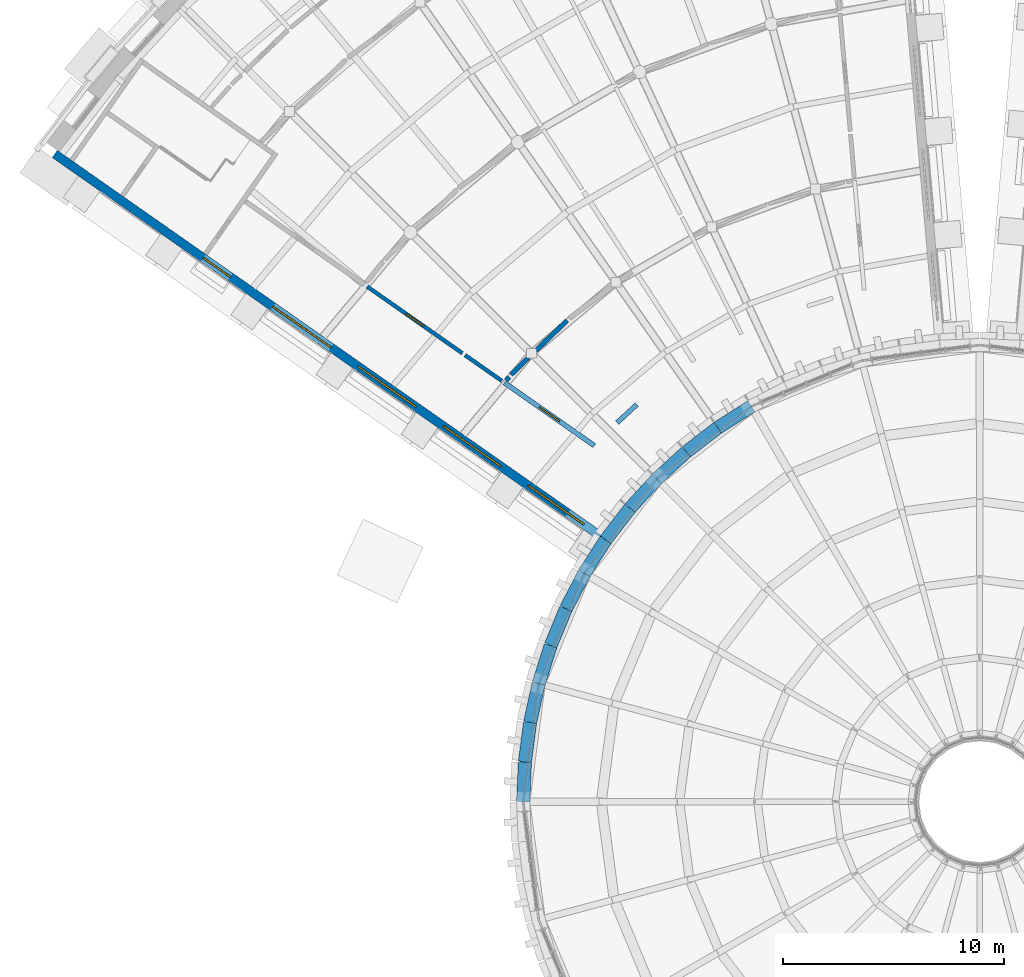
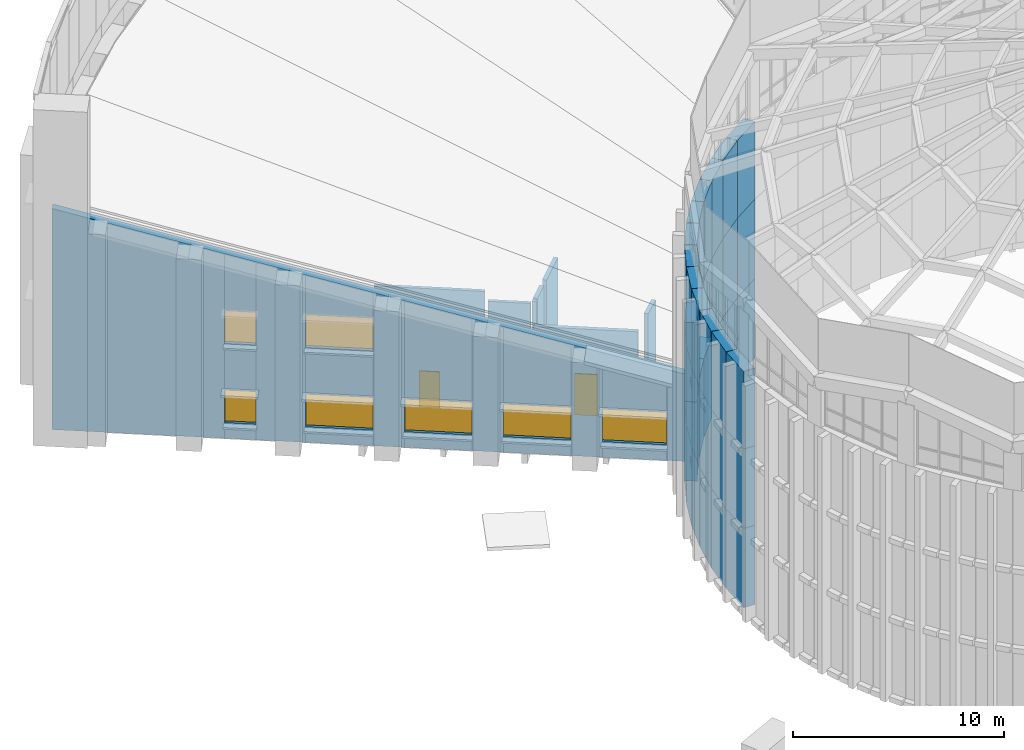
# One storey, part 53 of 82: 44 walls, 7 windows, 2 doors, 9 openings.
"""IFC4 building model written with IfcOpenShell, lengths in metres."""

from ifc_helpers import new_model, si_unit, direction, frame, frame_2d, origin, place, context, subcontext, project, spatial, polyline, rectangle, outline, extrude, material, layer, layer_set, type_object, element, fill, save


model = new_model("IFC4")

# Units and contexts
model_context = context("Model", 3, precision=1e-05, world=origin(), true_north=direction((0.0, 1.0)))
body_context = subcontext(model_context, "Body", "Model", "MODEL_VIEW")
ifc_project = project(units=[si_unit("LENGTHUNIT", "METRE"), si_unit("AREAUNIT", "SQUARE_METRE"), si_unit("VOLUMEUNIT", "CUBIC_METRE"), si_unit("PLANEANGLEUNIT", "RADIAN"), si_unit("MASSUNIT", "GRAM", prefix="KILO")], contexts=[model_context])

# Site, building, storey
site_placement = place(None, origin())
site = spatial("IfcSite", under=ifc_project, at=site_placement, CompositionType="ELEMENT")
building_placement = place(site_placement, origin())
building = spatial("IfcBuilding", under=site, at=building_placement, Name="Volute Hill Aquarium", CompositionType="ELEMENT")
storey_placement = place(building_placement, frame((0.0, 0.0, 13.800048828125)))
storey = spatial("IfcBuildingStorey", under=building, at=storey_placement, Name="L04", CompositionType="ELEMENT", Elevation=13.800048828125)

# Wall, opening, door
ifc_material_1 = material(Name="Gypsum board on steel studs", Category="steel")
ifc_layer_1 = layer(ifc_material_1, 0.175048828125)
ifc_layer_set_1 = layer_set([ifc_layer_1], Name="Corridor partition 175 EI 60")
wall_type_1 = type_object("IfcWallType", Name="Corridor partition 175 EI 60", PredefinedType="PARTITIONING", material=ifc_layer_set_1)
wall_1_placement = place(storey_placement, frame((-27.772705078125, 23.35302734375, 0.0), z_axis=(0.0, 0.0, 1.0), x_axis=(0.819151370893, -0.573577398059, 0.0)))
wall_1 = element("IfcWall", 1, at=wall_1_placement, inside=storey, type_object=wall_type_1, Name="pw/S6/L04/011", PredefinedType="PARTITIONING", context=body_context, shape_type="SweptSolid", body=[
    extrude(rectangle(XDim=5.26904296875, YDim=0.175048828125, at=frame_2d((2.634521484375, 0.0))), origin(), (0.0, 0.0, 1.0), 6.9326171875),
])
opening_1_placement = place(wall_1_placement, frame((2.134521484375, 0.0, 0.0)))
opening_1 = element("IfcOpeningElement", 2, at=opening_1_placement, cuts=wall_1, Name="Opening D6.04.05", PredefinedType="OPENING", context=body_context, shape_type="SweptSolid", body=[
    extrude(rectangle(XDim=1.0, YDim=2.10009765625, at=frame_2d((0.5, 1.050048828125))), frame((0.0, 0.097412109375, 0.0), z_axis=(0.0, -1.0, 0.0), x_axis=(1.0, 0.0, 0.0)), (0.0, 0.0, 1.0), 0.195068359375),
])
ifc_material_2 = material(Name="Timber, fire-rated", Category="wood")
door_type_1 = type_object("IfcDoorType", Name="Door 1000 x 2100 single EI1 30", OperationType="SINGLE_SWING_LEFT", PredefinedType="DOOR", material=ifc_material_2)
door_1_placement = place(opening_1_placement, origin())
door_1 = element("IfcDoor", 3, at=door_1_placement, inside=storey, type_object=door_type_1, Name="d/S6/L04/05", OperationType="SINGLE_SWING_LEFT", OverallHeight=2.10009765625, OverallWidth=1.0, PredefinedType="DOOR", context=body_context, shape_type="SweptSolid", body=[
    extrude(rectangle(XDim=1.0, YDim=2.10009765625, at=frame_2d((0.5, 1.050048828125))), frame((0.0, 0.02490234375, 0.0), z_axis=(0.0, -1.0, 0.0), x_axis=(1.0, 0.0, 0.0)), (0.0, 0.0, 1.0), 0.050048828125),
])
fill(opening_1, door_1)

# Walls
wall_2_placement = place(storey_placement, frame((-23.333740234375, 20.244873046875, 0.0), z_axis=(0.0, 0.0, 1.0), x_axis=(0.819164141, -0.573559160069, 0.0)))
element("IfcWall", 4, at=wall_2_placement, inside=storey, type_object=wall_type_1, Name="pw/S6/L04/032", PredefinedType="PARTITIONING", context=body_context, shape_type="SweptSolid", body=[
    extrude(rectangle(XDim=2.03076171875, YDim=0.175048828125, at=frame_2d((1.015380859375, 0.0))), origin(), (0.0, 0.0, 1.0), 6.3720703125),
])
ifc_material_3 = material(Name="Concrete C35/45", Category="concrete")
ifc_layer_2 = layer(ifc_material_3, 0.60009765625)
ifc_layer_set_2 = layer_set([ifc_layer_2], Name="Drum wall C35/45 600")
wall_type_2 = type_object("IfcWallType", Name="Drum wall C35/45 600", PredefinedType="SHEAR", material=ifc_layer_set_2)
wall_3_placement = place(storey_placement, frame((-10.35009765625, 17.9267578125, 0.0), z_axis=(0.0, 0.0, 1.0), x_axis=(-0.843332890803, -0.537391510251, 0.0)))
element("IfcWall", 5, at=wall_3_placement, inside=storey, type_object=wall_type_2, Name="sw/DR/L04/24", PredefinedType="SHEAR", context=body_context, shape_type="SweptSolid", body=[
    extrude(rectangle(XDim=1.805908203125, YDim=0.60009765625, at=frame_2d((0.90283203125, 0.0))), origin(), (0.0, 0.0, 1.0), 4.599853515625),
])
wall_4_placement = place(storey_placement, frame((-10.35009765625, 17.9267578125, 4.599853515625), z_axis=(0.0, 0.0, 1.0), x_axis=(-0.843332890803, -0.537391510251, 0.0)))
element("IfcWall", 6, at=wall_4_placement, inside=storey, type_object=wall_type_2, Name="sw/DR/L04/96", PredefinedType="SHEAR", context=body_context, shape_type="SweptSolid", body=[
    extrude(rectangle(XDim=1.805908203125, YDim=0.60009765625, at=frame_2d((0.90283203125, 0.0))), origin(), (0.0, 0.0, 1.0), 4.60009765625),
])
wall_5_placement = place(storey_placement, frame((-10.35009765625, 17.9267578125, 9.199951171875), z_axis=(0.0, 0.0, 1.0), x_axis=(-0.843332890803, -0.537391510251, 0.0)))
element("IfcWall", 7, at=wall_5_placement, inside=storey, type_object=wall_type_2, Name="sw/DR/L04/168", PredefinedType="SHEAR", context=body_context, shape_type="SweptSolid", body=[
    extrude(rectangle(XDim=1.805908203125, YDim=0.60009765625, at=frame_2d((0.90283203125, 0.0))), origin(), (0.0, 0.0, 1.0), 4.5),
])
wall_6_placement = place(storey_placement, frame((-11.873046875, 16.956298828125, 0.0), z_axis=(0.0, 0.0, 1.0), x_axis=(-0.793397400526, -0.608704004289, 0.0)))
element("IfcWall", 8, at=wall_6_placement, inside=storey, type_object=wall_type_2, Name="sw/DR/L04/25", PredefinedType="SHEAR", context=body_context, shape_type="SweptSolid", body=[
    extrude(rectangle(XDim=1.8056640625, YDim=0.60009765625, at=frame_2d((0.90283203125, 0.0))), origin(), (0.0, 0.0, 1.0), 4.599853515625),
])
wall_7_placement = place(storey_placement, frame((-11.873046875, 16.956298828125, 4.599853515625), z_axis=(0.0, 0.0, 1.0), x_axis=(-0.793397400526, -0.608704004289, 0.0)))
element("IfcWall", 9, at=wall_7_placement, inside=storey, type_object=wall_type_2, Name="sw/DR/L04/97", PredefinedType="SHEAR", context=body_context, shape_type="SweptSolid", body=[
    extrude(rectangle(XDim=1.8056640625, YDim=0.60009765625, at=frame_2d((0.90283203125, 0.0))), origin(), (0.0, 0.0, 1.0), 4.60009765625),
])
wall_8_placement = place(storey_placement, frame((-11.873046875, 16.956298828125, 9.199951171875), z_axis=(0.0, 0.0, 1.0), x_axis=(-0.793397400526, -0.608704004289, 0.0)))
element("IfcWall", 10, at=wall_8_placement, inside=storey, type_object=wall_type_2, Name="sw/DR/L04/169", PredefinedType="SHEAR", context=body_context, shape_type="SweptSolid", body=[
    extrude(rectangle(XDim=1.8056640625, YDim=0.60009765625, at=frame_2d((0.90283203125, 0.0))), origin(), (0.0, 0.0, 1.0), 4.5),
])
wall_9_placement = place(storey_placement, frame((-13.3056640625, 15.857177734375, 0.0), z_axis=(0.0, 0.0, 1.0), x_axis=(-0.737322466268, -0.675540954152, 0.0)))
element("IfcWall", 11, at=wall_9_placement, inside=storey, type_object=wall_type_2, Name="sw/DR/L04/26", PredefinedType="SHEAR", context=body_context, shape_type="SweptSolid", body=[
    extrude(rectangle(XDim=1.805908203125, YDim=0.60009765625, at=frame_2d((0.90283203125, 0.0))), origin(), (0.0, 0.0, 1.0), 4.599853515625),
])
wall_10_placement = place(storey_placement, frame((-13.3056640625, 15.857177734375, 4.599853515625), z_axis=(0.0, 0.0, 1.0), x_axis=(-0.737322466268, -0.675540954152, 0.0)))
element("IfcWall", 12, at=wall_10_placement, inside=storey, type_object=wall_type_2, Name="sw/DR/L04/98", PredefinedType="SHEAR", context=body_context, shape_type="SweptSolid", body=[
    extrude(rectangle(XDim=1.805908203125, YDim=0.60009765625, at=frame_2d((0.90283203125, 0.0))), origin(), (0.0, 0.0, 1.0), 4.60009765625),
])
wall_11_placement = place(storey_placement, frame((-13.3056640625, 15.857177734375, 9.199951171875), z_axis=(0.0, 0.0, 1.0), x_axis=(-0.737322466268, -0.675540954152, 0.0)))
element("IfcWall", 13, at=wall_11_placement, inside=storey, type_object=wall_type_2, Name="sw/DR/L04/170", PredefinedType="SHEAR", context=body_context, shape_type="SweptSolid", body=[
    extrude(rectangle(XDim=1.805908203125, YDim=0.60009765625, at=frame_2d((0.90283203125, 0.0))), origin(), (0.0, 0.0, 1.0), 4.5),
])
wall_12_placement = place(storey_placement, frame((-14.63720703125, 14.63720703125, 0.0), z_axis=(0.0, 0.0, 1.0), x_axis=(-0.675540954152, -0.737322466268, 0.0)))
element("IfcWall", 14, at=wall_12_placement, inside=storey, type_object=wall_type_2, Name="sw/DR/L04/27", PredefinedType="SHEAR", context=body_context, shape_type="SweptSolid", body=[
    extrude(rectangle(XDim=1.805908203125, YDim=0.60009765625, at=frame_2d((0.90283203125, 0.0))), origin(), (0.0, 0.0, 1.0), 4.599853515625),
])
wall_13_placement = place(storey_placement, frame((-14.63720703125, 14.63720703125, 4.599853515625), z_axis=(0.0, 0.0, 1.0), x_axis=(-0.675540954152, -0.737322466268, 0.0)))
element("IfcWall", 15, at=wall_13_placement, inside=storey, type_object=wall_type_2, Name="sw/DR/L04/99", PredefinedType="SHEAR", context=body_context, shape_type="SweptSolid", body=[
    extrude(rectangle(XDim=1.805908203125, YDim=0.60009765625, at=frame_2d((0.90283203125, 0.0))), origin(), (0.0, 0.0, 1.0), 4.60009765625),
])
wall_14_placement = place(storey_placement, frame((-14.63720703125, 14.63720703125, 9.199951171875), z_axis=(0.0, 0.0, 1.0), x_axis=(-0.675540954152, -0.737322466268, 0.0)))
element("IfcWall", 16, at=wall_14_placement, inside=storey, type_object=wall_type_2, Name="sw/DR/L04/171", PredefinedType="SHEAR", context=body_context, shape_type="SweptSolid", body=[
    extrude(rectangle(XDim=1.805908203125, YDim=0.60009765625, at=frame_2d((0.90283203125, 0.0))), origin(), (0.0, 0.0, 1.0), 4.5),
])
wall_15_placement = place(storey_placement, frame((-15.857177734375, 13.3056640625, 0.0), z_axis=(0.0, 0.0, 1.0), x_axis=(-0.608704004289, -0.793397400526, 0.0)))
element("IfcWall", 17, at=wall_15_placement, inside=storey, type_object=wall_type_2, Name="sw/DR/L04/28", PredefinedType="SHEAR", context=body_context, shape_type="SweptSolid", body=[
    extrude(rectangle(XDim=1.8056640625, YDim=0.60009765625, at=frame_2d((0.90283203125, 0.0))), origin(), (0.0, 0.0, 1.0), 4.599853515625),
])
wall_16_placement = place(storey_placement, frame((-15.857177734375, 13.3056640625, 4.599853515625), z_axis=(0.0, 0.0, 1.0), x_axis=(-0.608704004289, -0.793397400526, 0.0)))
element("IfcWall", 18, at=wall_16_placement, inside=storey, type_object=wall_type_2, Name="sw/DR/L04/100", PredefinedType="SHEAR", context=body_context, shape_type="SweptSolid", body=[
    extrude(rectangle(XDim=1.8056640625, YDim=0.60009765625, at=frame_2d((0.90283203125, 0.0))), origin(), (0.0, 0.0, 1.0), 4.60009765625),
])
wall_17_placement = place(storey_placement, frame((-15.857177734375, 13.3056640625, 9.199951171875), z_axis=(0.0, 0.0, 1.0), x_axis=(-0.608704004289, -0.793397400526, 0.0)))
element("IfcWall", 19, at=wall_17_placement, inside=storey, type_object=wall_type_2, Name="sw/DR/L04/172", PredefinedType="SHEAR", context=body_context, shape_type="SweptSolid", body=[
    extrude(rectangle(XDim=1.8056640625, YDim=0.60009765625, at=frame_2d((0.90283203125, 0.0))), origin(), (0.0, 0.0, 1.0), 4.5),
])
wall_18_placement = place(storey_placement, frame((-16.956298828125, 11.873046875, 0.0), z_axis=(0.0, 0.0, 1.0), x_axis=(-0.537391510251, -0.843332890803, 0.0)))
element("IfcWall", 20, at=wall_18_placement, inside=storey, type_object=wall_type_2, Name="sw/DR/L04/29", PredefinedType="SHEAR", context=body_context, shape_type="SweptSolid", body=[
    extrude(rectangle(XDim=1.805908203125, YDim=0.60009765625, at=frame_2d((0.90283203125, 0.0))), origin(), (0.0, 0.0, 1.0), 4.599853515625),
])
wall_19_placement = place(storey_placement, frame((-16.956298828125, 11.873046875, 4.599853515625), z_axis=(0.0, 0.0, 1.0), x_axis=(-0.537391510251, -0.843332890803, 0.0)))
element("IfcWall", 21, at=wall_19_placement, inside=storey, type_object=wall_type_2, Name="sw/DR/L04/101", PredefinedType="SHEAR", context=body_context, shape_type="SweptSolid", body=[
    extrude(rectangle(XDim=1.805908203125, YDim=0.60009765625, at=frame_2d((0.90283203125, 0.0))), origin(), (0.0, 0.0, 1.0), 4.60009765625),
])
wall_20_placement = place(storey_placement, frame((-16.956298828125, 11.873046875, 9.199951171875), z_axis=(0.0, 0.0, 1.0), x_axis=(-0.537391510251, -0.843332890803, 0.0)))
element("IfcWall", 22, at=wall_20_placement, inside=storey, type_object=wall_type_2, Name="sw/DR/L04/173", PredefinedType="SHEAR", context=body_context, shape_type="SweptSolid", body=[
    extrude(rectangle(XDim=1.805908203125, YDim=0.60009765625, at=frame_2d((0.90283203125, 0.0))), origin(), (0.0, 0.0, 1.0), 4.5),
])
wall_21_placement = place(storey_placement, frame((-17.9267578125, 10.35009765625, 0.0), z_axis=(0.0, 0.0, 1.0), x_axis=(-0.461701764231, -0.887035219654, 0.0)))
element("IfcWall", 23, at=wall_21_placement, inside=storey, type_object=wall_type_2, Name="sw/DR/L04/30", PredefinedType="SHEAR", context=body_context, shape_type="SweptSolid", body=[
    extrude(rectangle(XDim=1.805908203125, YDim=0.60009765625, at=frame_2d((0.90283203125, 0.0))), origin(), (0.0, 0.0, 1.0), 4.599853515625),
])
wall_22_placement = place(storey_placement, frame((-17.9267578125, 10.35009765625, 4.599853515625), z_axis=(0.0, 0.0, 1.0), x_axis=(-0.461701764231, -0.887035219654, 0.0)))
element("IfcWall", 24, at=wall_22_placement, inside=storey, type_object=wall_type_2, Name="sw/DR/L04/102", PredefinedType="SHEAR", context=body_context, shape_type="SweptSolid", body=[
    extrude(rectangle(XDim=1.805908203125, YDim=0.60009765625, at=frame_2d((0.90283203125, 0.0))), origin(), (0.0, 0.0, 1.0), 4.60009765625),
])
wall_23_placement = place(storey_placement, frame((-17.9267578125, 10.35009765625, 9.199951171875), z_axis=(0.0, 0.0, 1.0), x_axis=(-0.461701764231, -0.887035219654, 0.0)))
element("IfcWall", 25, at=wall_23_placement, inside=storey, type_object=wall_type_2, Name="sw/DR/L04/174", PredefinedType="SHEAR", context=body_context, shape_type="SweptSolid", body=[
    extrude(rectangle(XDim=1.805908203125, YDim=0.60009765625, at=frame_2d((0.90283203125, 0.0))), origin(), (0.0, 0.0, 1.0), 4.5),
])
wall_24_placement = place(storey_placement, frame((-18.760498046875, 8.748291015625, 0.0), z_axis=(0.0, 0.0, 1.0), x_axis=(-0.382713954298, -0.923866889322, 0.0)))
element("IfcWall", 26, at=wall_24_placement, inside=storey, type_object=wall_type_2, Name="sw/DR/L04/31", PredefinedType="SHEAR", context=body_context, shape_type="SweptSolid", body=[
    extrude(rectangle(XDim=1.805908203125, YDim=0.60009765625, at=frame_2d((0.90283203125, 0.0))), origin(), (0.0, 0.0, 1.0), 4.599853515625),
])
wall_25_placement = place(storey_placement, frame((-18.760498046875, 8.748291015625, 4.599853515625), z_axis=(0.0, 0.0, 1.0), x_axis=(-0.382713954298, -0.923866889322, 0.0)))
element("IfcWall", 27, at=wall_25_placement, inside=storey, type_object=wall_type_2, Name="sw/DR/L04/103", PredefinedType="SHEAR", context=body_context, shape_type="SweptSolid", body=[
    extrude(rectangle(XDim=1.805908203125, YDim=0.60009765625, at=frame_2d((0.90283203125, 0.0))), origin(), (0.0, 0.0, 1.0), 4.60009765625),
])
wall_26_placement = place(storey_placement, frame((-18.760498046875, 8.748291015625, 9.199951171875), z_axis=(0.0, 0.0, 1.0), x_axis=(-0.382713954298, -0.923866889322, 0.0)))
element("IfcWall", 28, at=wall_26_placement, inside=storey, type_object=wall_type_2, Name="sw/DR/L04/175", PredefinedType="SHEAR", context=body_context, shape_type="SweptSolid", body=[
    extrude(rectangle(XDim=1.805908203125, YDim=0.60009765625, at=frame_2d((0.90283203125, 0.0))), origin(), (0.0, 0.0, 1.0), 4.5),
])
wall_27_placement = place(storey_placement, frame((-19.45166015625, 7.079833984375, 0.0), z_axis=(0.0, 0.0, 1.0), x_axis=(-0.300691330354, -0.953721512733, 0.0)))
element("IfcWall", 29, at=wall_27_placement, inside=storey, type_object=wall_type_2, Name="sw/DR/L04/32", PredefinedType="SHEAR", context=body_context, shape_type="SweptSolid", body=[
    extrude(rectangle(XDim=1.8056640625, YDim=0.60009765625, at=frame_2d((0.90283203125, 0.0))), origin(), (0.0, 0.0, 1.0), 4.599853515625),
])
wall_28_placement = place(storey_placement, frame((-19.45166015625, 7.079833984375, 4.599853515625), z_axis=(0.0, 0.0, 1.0), x_axis=(-0.300691330354, -0.953721512733, 0.0)))
element("IfcWall", 30, at=wall_28_placement, inside=storey, type_object=wall_type_2, Name="sw/DR/L04/104", PredefinedType="SHEAR", context=body_context, shape_type="SweptSolid", body=[
    extrude(rectangle(XDim=1.8056640625, YDim=0.60009765625, at=frame_2d((0.90283203125, 0.0))), origin(), (0.0, 0.0, 1.0), 4.60009765625),
])
wall_29_placement = place(storey_placement, frame((-19.45166015625, 7.079833984375, 9.199951171875), z_axis=(0.0, 0.0, 1.0), x_axis=(-0.300691330354, -0.953721512733, 0.0)))
element("IfcWall", 31, at=wall_29_placement, inside=storey, type_object=wall_type_2, Name="sw/DR/L04/176", PredefinedType="SHEAR", context=body_context, shape_type="SweptSolid", body=[
    extrude(rectangle(XDim=1.8056640625, YDim=0.60009765625, at=frame_2d((0.90283203125, 0.0))), origin(), (0.0, 0.0, 1.0), 4.5),
])
wall_30_placement = place(storey_placement, frame((-19.99462890625, 5.357666015625, 0.0), z_axis=(0.0, 0.0, 1.0), x_axis=(-0.216429453554, -0.976298259567, 0.0)))
element("IfcWall", 32, at=wall_30_placement, inside=storey, type_object=wall_type_2, Name="sw/DR/L04/33", PredefinedType="SHEAR", context=body_context, shape_type="SweptSolid", body=[
    extrude(rectangle(XDim=1.805908203125, YDim=0.60009765625, at=frame_2d((0.90283203125, 0.0))), origin(), (0.0, 0.0, 1.0), 4.599853515625),
])
wall_31_placement = place(storey_placement, frame((-19.99462890625, 5.357666015625, 4.599853515625), z_axis=(0.0, 0.0, 1.0), x_axis=(-0.216429453554, -0.976298259567, 0.0)))
element("IfcWall", 33, at=wall_31_placement, inside=storey, type_object=wall_type_2, Name="sw/DR/L04/105", PredefinedType="SHEAR", context=body_context, shape_type="SweptSolid", body=[
    extrude(rectangle(XDim=1.805908203125, YDim=0.60009765625, at=frame_2d((0.90283203125, 0.0))), origin(), (0.0, 0.0, 1.0), 4.60009765625),
])
wall_32_placement = place(storey_placement, frame((-19.99462890625, 5.357666015625, 9.199951171875), z_axis=(0.0, 0.0, 1.0), x_axis=(-0.216429453554, -0.976298259567, 0.0)))
element("IfcWall", 34, at=wall_32_placement, inside=storey, type_object=wall_type_2, Name="sw/DR/L04/177", PredefinedType="SHEAR", context=body_context, shape_type="SweptSolid", body=[
    extrude(rectangle(XDim=1.805908203125, YDim=0.60009765625, at=frame_2d((0.90283203125, 0.0))), origin(), (0.0, 0.0, 1.0), 4.5),
])
wall_33_placement = place(storey_placement, frame((-20.385498046875, 3.594482421875, 0.0), z_axis=(0.0, 0.0, 1.0), x_axis=(-0.130471999813, -0.991451994433, 0.0)))
element("IfcWall", 35, at=wall_33_placement, inside=storey, type_object=wall_type_2, Name="sw/DR/L04/34", PredefinedType="SHEAR", context=body_context, shape_type="SweptSolid", body=[
    extrude(rectangle(XDim=1.8056640625, YDim=0.60009765625, at=frame_2d((0.90283203125, 0.0))), origin(), (0.0, 0.0, 1.0), 4.599853515625),
])
wall_34_placement = place(storey_placement, frame((-20.385498046875, 3.594482421875, 4.599853515625), z_axis=(0.0, 0.0, 1.0), x_axis=(-0.130471999813, -0.991451994433, 0.0)))
element("IfcWall", 36, at=wall_34_placement, inside=storey, type_object=wall_type_2, Name="sw/DR/L04/106", PredefinedType="SHEAR", context=body_context, shape_type="SweptSolid", body=[
    extrude(rectangle(XDim=1.8056640625, YDim=0.60009765625, at=frame_2d((0.90283203125, 0.0))), origin(), (0.0, 0.0, 1.0), 4.60009765625),
])
wall_35_placement = place(storey_placement, frame((-20.385498046875, 3.594482421875, 9.199951171875), z_axis=(0.0, 0.0, 1.0), x_axis=(-0.130471999813, -0.991451994433, 0.0)))
element("IfcWall", 37, at=wall_35_placement, inside=storey, type_object=wall_type_2, Name="sw/DR/L04/178", PredefinedType="SHEAR", context=body_context, shape_type="SweptSolid", body=[
    extrude(rectangle(XDim=1.8056640625, YDim=0.60009765625, at=frame_2d((0.90283203125, 0.0))), origin(), (0.0, 0.0, 1.0), 4.5),
])
wall_36_placement = place(storey_placement, frame((-20.62109375, 1.80419921875, 0.0), z_axis=(0.0, 0.0, 1.0), x_axis=(-0.043666024022, -0.999046184291, 0.0)))
element("IfcWall", 38, at=wall_36_placement, inside=storey, type_object=wall_type_2, Name="sw/DR/L04/35", PredefinedType="SHEAR", context=body_context, shape_type="SweptSolid", body=[
    extrude(rectangle(XDim=1.805908203125, YDim=0.60009765625, at=frame_2d((0.90283203125, 0.0))), origin(), (0.0, 0.0, 1.0), 4.599853515625),
])
wall_37_placement = place(storey_placement, frame((-20.62109375, 1.80419921875, 4.599853515625), z_axis=(0.0, 0.0, 1.0), x_axis=(-0.043666024022, -0.999046184291, 0.0)))
element("IfcWall", 39, at=wall_37_placement, inside=storey, type_object=wall_type_2, Name="sw/DR/L04/107", PredefinedType="SHEAR", context=body_context, shape_type="SweptSolid", body=[
    extrude(rectangle(XDim=1.805908203125, YDim=0.60009765625, at=frame_2d((0.90283203125, 0.0))), origin(), (0.0, 0.0, 1.0), 4.60009765625),
])
wall_38_placement = place(storey_placement, frame((-20.62109375, 1.80419921875, 9.199951171875), z_axis=(0.0, 0.0, 1.0), x_axis=(-0.043666024022, -0.999046184291, 0.0)))
element("IfcWall", 40, at=wall_38_placement, inside=storey, type_object=wall_type_2, Name="sw/DR/L04/179", PredefinedType="SHEAR", context=body_context, shape_type="SweptSolid", body=[
    extrude(rectangle(XDim=1.805908203125, YDim=0.60009765625, at=frame_2d((0.90283203125, 0.0))), origin(), (0.0, 0.0, 1.0), 4.5),
])

# Wall, openings, windows
ifc_material_4 = material(Name="Concrete C35/45", Category="concrete")
ifc_layer_3 = layer(ifc_material_4, 0.39990234375)
ifc_layer_set_3 = layer_set([ifc_layer_3], Name="End wall 400 C35/45")
wall_type_3 = type_object("IfcWallType", Name="End wall 400 C35/45", PredefinedType="SHEAR", material=ifc_layer_set_3)
wall_39_placement = place(storey_placement, frame((-17.120361328125, 11.98779296875, 0.0), z_axis=(0.0, 0.0, 1.0), x_axis=(-0.81915166255, 0.57357698153, 0.0)))
wall_39 = element("IfcWall", 41, at=wall_39_placement, inside=storey, type_object=wall_type_3, Name="sw/S6/L04/endB", PredefinedType="SHEAR", context=body_context, shape_type="SweptSolid", body=[
    extrude(outline(polyline([(0.0, 0.0), (30.300048828125, 0.0), (30.300048828125, 12.8056640625), (26.512451171875, 11.83203125), (22.72509765625, 10.858154296875), (18.9375, 9.884521484375), (15.14990234375, 8.910888671875), (11.362548828125, 7.937255859375), (7.574951171875, 6.96337890625), (3.78759765625, 5.98974609375), (0.0, 5.01611328125), (0.0, 0.0)])), frame((0.0, 0.199951171875, 0.0), z_axis=(0.0, -1.0, 0.0), x_axis=(1.0, 0.0, 0.0)), (0.0, 0.0, 1.0), 0.39990234375),
])
opening_2_placement = place(wall_39_placement, frame((1.02001953125, 0.0, 0.89990234375)))
opening_2 = element("IfcOpeningElement", 42, at=opening_2_placement, cuts=wall_39, Name="Opening W20", PredefinedType="OPENING", context=body_context, shape_type="SweptSolid", body=[
    extrude(rectangle(XDim=3.063232421875, YDim=1.89990234375, at=frame_2d((1.53173828125, 0.949951171875))), frame((0.0, 0.2099609375, 0.0), z_axis=(0.0, -1.0, 0.0), x_axis=(1.0, 0.0, 0.0)), (0.0, 0.0, 1.0), 0.419921875),
])
opening_3_placement = place(wall_39_placement, frame((5.583251953125, 0.0, 0.89990234375)))
opening_3 = element("IfcOpeningElement", 43, at=opening_3_placement, cuts=wall_39, Name="Opening W21", PredefinedType="OPENING", context=body_context, shape_type="SweptSolid", body=[
    extrude(rectangle(XDim=3.21337890625, YDim=1.89990234375, at=frame_2d((1.606689453125, 0.949951171875))), frame((0.0, 0.2099609375, 0.0), z_axis=(0.0, -1.0, 0.0), x_axis=(1.0, 0.0, 0.0)), (0.0, 0.0, 1.0), 0.419921875),
])
opening_4_placement = place(wall_39_placement, frame((10.296630859375, 0.0, 0.89990234375)))
opening_4 = element("IfcOpeningElement", 44, at=opening_4_placement, cuts=wall_39, Name="Opening W21", PredefinedType="OPENING", context=body_context, shape_type="SweptSolid", body=[
    extrude(rectangle(XDim=3.21337890625, YDim=1.89990234375, at=frame_2d((1.606689453125, 0.949951171875))), frame((0.0, 0.2099609375, 0.0), z_axis=(0.0, -1.0, 0.0), x_axis=(1.0, 0.0, 0.0)), (0.0, 0.0, 1.0), 0.419921875),
])
opening_5_placement = place(wall_39_placement, frame((15.010009765625, 0.0, 0.89990234375)))
opening_5 = element("IfcOpeningElement", 45, at=opening_5_placement, cuts=wall_39, Name="Opening W21", PredefinedType="OPENING", context=body_context, shape_type="SweptSolid", body=[
    extrude(rectangle(XDim=3.21337890625, YDim=1.89990234375, at=frame_2d((1.606689453125, 0.949951171875))), frame((0.0, 0.2099609375, 0.0), z_axis=(0.0, -1.0, 0.0), x_axis=(1.0, 0.0, 0.0)), (0.0, 0.0, 1.0), 0.419921875),
])
opening_6_placement = place(wall_39_placement, frame((15.010009765625, 0.0, 5.5)))
opening_6 = element("IfcOpeningElement", 46, at=opening_6_placement, cuts=wall_39, Name="Opening W21", PredefinedType="OPENING", context=body_context, shape_type="SweptSolid", body=[
    extrude(rectangle(XDim=3.21337890625, YDim=1.89990234375, at=frame_2d((1.606689453125, 0.949951171875))), frame((0.0, 0.2099609375, 0.0), z_axis=(0.0, -1.0, 0.0), x_axis=(1.0, 0.0, 0.0)), (0.0, 0.0, 1.0), 0.419921875),
])
opening_7_placement = place(wall_39_placement, frame((20.580078125, 0.0, 0.89990234375)))
opening_7 = element("IfcOpeningElement", 47, at=opening_7_placement, cuts=wall_39, Name="Opening W22", PredefinedType="OPENING", context=body_context, shape_type="SweptSolid", body=[
    extrude(rectangle(XDim=1.5, YDim=1.89990234375, at=frame_2d((0.75, 0.949951171875))), frame((0.0, 0.2099609375, 0.0), z_axis=(0.0, -1.0, 0.0), x_axis=(1.0, 0.0, 0.0)), (0.0, 0.0, 1.0), 0.419921875),
])
opening_8_placement = place(wall_39_placement, frame((20.580078125, 0.0, 5.5)))
opening_8 = element("IfcOpeningElement", 48, at=opening_8_placement, cuts=wall_39, Name="Opening W22", PredefinedType="OPENING", context=body_context, shape_type="SweptSolid", body=[
    extrude(rectangle(XDim=1.5, YDim=1.89990234375, at=frame_2d((0.75, 0.949951171875))), frame((0.0, 0.2099609375, 0.0), z_axis=(0.0, -1.0, 0.0), x_axis=(1.0, 0.0, 0.0)), (0.0, 0.0, 1.0), 0.419921875),
])
ifc_material_5 = material(Name="Aluminium and glass", Category="aluminium")
window_type_1 = type_object("IfcWindowType", Name="End wall window 1500x1900", PartitioningType="SINGLE_PANEL", PredefinedType="WINDOW", material=ifc_material_5)
window_1_placement = place(opening_7_placement, origin())
window_1 = element("IfcWindow", 49, at=window_1_placement, inside=storey, type_object=window_type_1, Name="End wall window S6B L04 5.1", OverallHeight=1.89990234375, OverallWidth=1.5, PartitioningType="SINGLE_PANEL", PredefinedType="WINDOW", context=body_context, shape_type="SweptSolid", body=[
    extrude(rectangle(XDim=1.5, YDim=1.89990234375, at=frame_2d((0.75, 0.949951171875))), frame((0.0, 0.030029296875, 0.0), z_axis=(0.0, -1.0, 0.0), x_axis=(1.0, 0.0, 0.0)), (0.0, 0.0, 1.0), 0.06005859375),
])
fill(opening_7, window_1)
window_2_placement = place(opening_8_placement, origin())
window_2 = element("IfcWindow", 50, at=window_2_placement, inside=storey, type_object=window_type_1, Name="End wall window S6B L04 5.2", OverallHeight=1.89990234375, OverallWidth=1.5, PartitioningType="SINGLE_PANEL", PredefinedType="WINDOW", context=body_context, shape_type="SweptSolid", body=[
    extrude(rectangle(XDim=1.5, YDim=1.89990234375, at=frame_2d((0.75, 0.949951171875))), frame((0.0, 0.030029296875, 0.0), z_axis=(0.0, -1.0, 0.0), x_axis=(1.0, 0.0, 0.0)), (0.0, 0.0, 1.0), 0.06005859375),
])
fill(opening_8, window_2)
ifc_material_6 = material(Name="Aluminium and glass", Category="aluminium")
window_type_2 = type_object("IfcWindowType", Name="End wall window 3063x1900", PartitioningType="SINGLE_PANEL", PredefinedType="WINDOW", material=ifc_material_6)
window_3_placement = place(opening_2_placement, origin())
window_3 = element("IfcWindow", 51, at=window_3_placement, inside=storey, type_object=window_type_2, Name="End wall window S6B L04 1.1", OverallHeight=1.89990234375, OverallWidth=3.063232421875, PartitioningType="SINGLE_PANEL", PredefinedType="WINDOW", context=body_context, shape_type="SweptSolid", body=[
    extrude(rectangle(XDim=3.063232421875, YDim=1.89990234375, at=frame_2d((1.53173828125, 0.949951171875))), frame((0.0, 0.030029296875, 0.0), z_axis=(0.0, -1.0, 0.0), x_axis=(1.0, 0.0, 0.0)), (0.0, 0.0, 1.0), 0.06005859375),
])
fill(opening_2, window_3)
ifc_material_7 = material(Name="Aluminium and glass", Category="aluminium")
window_type_3 = type_object("IfcWindowType", Name="End wall window 3213x1900", PartitioningType="SINGLE_PANEL", PredefinedType="WINDOW", material=ifc_material_7)
window_4_placement = place(opening_3_placement, origin())
window_4 = element("IfcWindow", 52, at=window_4_placement, inside=storey, type_object=window_type_3, Name="End wall window S6B L04 2.1", OverallHeight=1.89990234375, OverallWidth=3.21337890625, PartitioningType="SINGLE_PANEL", PredefinedType="WINDOW", context=body_context, shape_type="SweptSolid", body=[
    extrude(rectangle(XDim=3.21337890625, YDim=1.89990234375, at=frame_2d((1.606689453125, 0.949951171875))), frame((0.0, 0.030029296875, 0.0), z_axis=(0.0, -1.0, 0.0), x_axis=(1.0, 0.0, 0.0)), (0.0, 0.0, 1.0), 0.06005859375),
])
fill(opening_3, window_4)
window_5_placement = place(opening_4_placement, origin())
window_5 = element("IfcWindow", 53, at=window_5_placement, inside=storey, type_object=window_type_3, Name="End wall window S6B L04 3.1", OverallHeight=1.89990234375, OverallWidth=3.21337890625, PartitioningType="SINGLE_PANEL", PredefinedType="WINDOW", context=body_context, shape_type="SweptSolid", body=[
    extrude(rectangle(XDim=3.21337890625, YDim=1.89990234375, at=frame_2d((1.606689453125, 0.949951171875))), frame((0.0, 0.030029296875, 0.0), z_axis=(0.0, -1.0, 0.0), x_axis=(1.0, 0.0, 0.0)), (0.0, 0.0, 1.0), 0.06005859375),
])
fill(opening_4, window_5)
window_6_placement = place(opening_5_placement, origin())
window_6 = element("IfcWindow", 54, at=window_6_placement, inside=storey, type_object=window_type_3, Name="End wall window S6B L04 4.1", OverallHeight=1.89990234375, OverallWidth=3.21337890625, PartitioningType="SINGLE_PANEL", PredefinedType="WINDOW", context=body_context, shape_type="SweptSolid", body=[
    extrude(rectangle(XDim=3.21337890625, YDim=1.89990234375, at=frame_2d((1.606689453125, 0.949951171875))), frame((0.0, 0.030029296875, 0.0), z_axis=(0.0, -1.0, 0.0), x_axis=(1.0, 0.0, 0.0)), (0.0, 0.0, 1.0), 0.06005859375),
])
fill(opening_5, window_6)
window_7_placement = place(opening_6_placement, origin())
window_7 = element("IfcWindow", 55, at=window_7_placement, inside=storey, type_object=window_type_3, Name="End wall window S6B L04 4.2", OverallHeight=1.89990234375, OverallWidth=3.21337890625, PartitioningType="SINGLE_PANEL", PredefinedType="WINDOW", context=body_context, shape_type="SweptSolid", body=[
    extrude(rectangle(XDim=3.21337890625, YDim=1.89990234375, at=frame_2d((1.606689453125, 0.949951171875))), frame((0.0, 0.030029296875, 0.0), z_axis=(0.0, -1.0, 0.0), x_axis=(1.0, 0.0, 0.0)), (0.0, 0.0, 1.0), 0.06005859375),
])
fill(opening_6, window_7)

# Wall, opening, door
ifc_material_8 = material(Name="Masonry blockwork", Category="masonry")
ifc_layer_4 = layer(ifc_material_8, 0.215087890625)
ifc_layer_set_4 = layer_set([ifc_layer_4], Name="Plant room wall 215 EI 60")
wall_type_4 = type_object("IfcWallType", Name="Plant room wall 215 EI 60", PredefinedType="PARTITIONING", material=ifc_layer_set_4)
wall_40_placement = place(storey_placement, frame((-21.547119140625, 18.993896484375, 0.0), z_axis=(0.0, 0.0, 1.0), x_axis=(0.819169654263, -0.57355128588, 0.0)))
wall_40 = element("IfcWall", 56, at=wall_40_placement, inside=storey, type_object=wall_type_4, Name="pw/S6/L04/013", PredefinedType="PARTITIONING", context=body_context, shape_type="SweptSolid", body=[
    extrude(rectangle(XDim=4.973876953125, YDim=0.215087890625, at=frame_2d((2.48681640625, 0.0))), origin(), (0.0, 0.0, 1.0), 5.0546875),
])
opening_9_placement = place(wall_40_placement, frame((1.93701171875, 0.0, 0.0)))
opening_9 = element("IfcOpeningElement", 57, at=opening_9_placement, cuts=wall_40, Name="Opening D6.04.04", PredefinedType="OPENING", context=body_context, shape_type="SweptSolid", body=[
    extrude(rectangle(XDim=1.10009765625, YDim=2.39990234375, at=frame_2d((0.550048828125, 1.199951171875))), frame((0.0, 0.117431640625, 0.0), z_axis=(0.0, -1.0, 0.0), x_axis=(1.0, 0.0, 0.0)), (0.0, 0.0, 1.0), 0.235107421875),
])
ifc_material_9 = material(Name="Steel, fire-rated", Category="steel")
door_type_2 = type_object("IfcDoorType", Name="Door 1100 x 2400 plant room EI1 30", OperationType="SINGLE_SWING_LEFT", PredefinedType="DOOR", material=ifc_material_9)
door_2_placement = place(opening_9_placement, origin())
door_2 = element("IfcDoor", 58, at=door_2_placement, inside=storey, type_object=door_type_2, Name="d/S6/L04/04", OperationType="SINGLE_SWING_RIGHT", OverallHeight=2.39990234375, OverallWidth=1.10009765625, PredefinedType="DOOR", context=body_context, shape_type="SweptSolid", body=[
    extrude(rectangle(XDim=1.10009765625, YDim=2.39990234375, at=frame_2d((0.550048828125, 1.199951171875))), frame((0.0, 0.02490234375, 0.0), z_axis=(0.0, -1.0, 0.0), x_axis=(1.0, 0.0, 0.0)), (0.0, 0.0, 1.0), 0.050048828125),
])
fill(opening_9, door_2)

# Walls
wall_41_placement = place(storey_placement, frame((-20.12353515625, 20.452392578125, 0.0), z_axis=(0.0, 0.0, 1.0), x_axis=(0.719395052317, 0.694601150807, 0.0)))
element("IfcWall", 59, at=wall_41_placement, inside=storey, type_object=wall_type_4, Name="pw/S6/L04/034", PredefinedType="PARTITIONING", context=body_context, shape_type="SweptSolid", body=[
    extrude(rectangle(XDim=1.96923828125, YDim=0.215087890625, at=frame_2d((0.984619140625, 0.0))), origin(), (0.0, 0.0, 1.0), 6.304443359375),
])
wall_42_placement = place(storey_placement, frame((-16.438232421875, 17.187255859375, 0.0), z_axis=(0.0, 0.0, 1.0), x_axis=(0.737279656854, 0.675587675723, 0.0)))
element("IfcWall", 60, at=wall_42_placement, inside=storey, type_object=wall_type_4, Name="pw/S6/L04/047", PredefinedType="PARTITIONING", context=body_context, shape_type="SweptSolid", body=[
    extrude(rectangle(XDim=1.2109375, YDim=0.215087890625, at=frame_2d((0.60546875, 0.0))), origin(), (0.0, 0.0, 1.0), 5.047607421875),
])
wall_43_placement = place(storey_placement, frame((-21.253173828125, 19.361572265625, 0.0), z_axis=(0.0, 0.0, 1.0), x_axis=(0.719390021907, 0.69460636074, 0.0)))
element("IfcWall", 61, at=wall_43_placement, inside=storey, type_object=wall_type_4, Name="pw/S6/L04/050", PredefinedType="PARTITIONING", context=body_context, shape_type="SweptSolid", body=[
    extrude(rectangle(XDim=1.103271484375, YDim=0.215087890625, at=frame_2d((0.5517578125, 0.0))), origin(), (0.0, 0.0, 1.0), 6.306396484375),
])
wall_44_placement = place(storey_placement, frame((-21.461181640625, 19.101318359375, 0.0), z_axis=(0.0, 0.0, 1.0), x_axis=(0.624085993272, 0.781355663576, 0.0)))
element("IfcWall", 62, at=wall_44_placement, inside=storey, type_object=wall_type_4, Name="pw/S6/L04/056", PredefinedType="PARTITIONING", context=body_context, shape_type="SweptSolid", body=[
    extrude(rectangle(XDim=0.195556640625, YDim=0.215087890625, at=frame_2d((0.09765625, 0.0))), origin(), (0.0, 0.0, 1.0), 6.334228515625),
])

save(model, "model.ifc")
